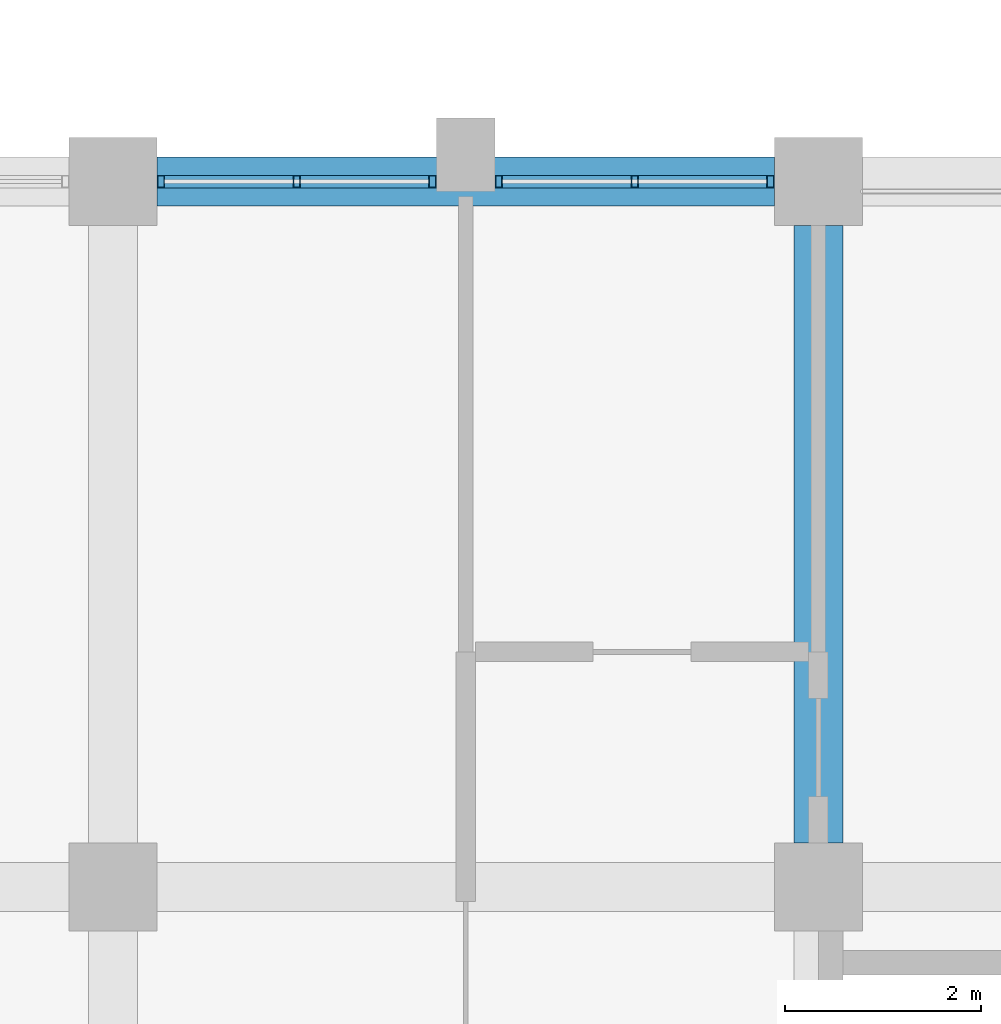
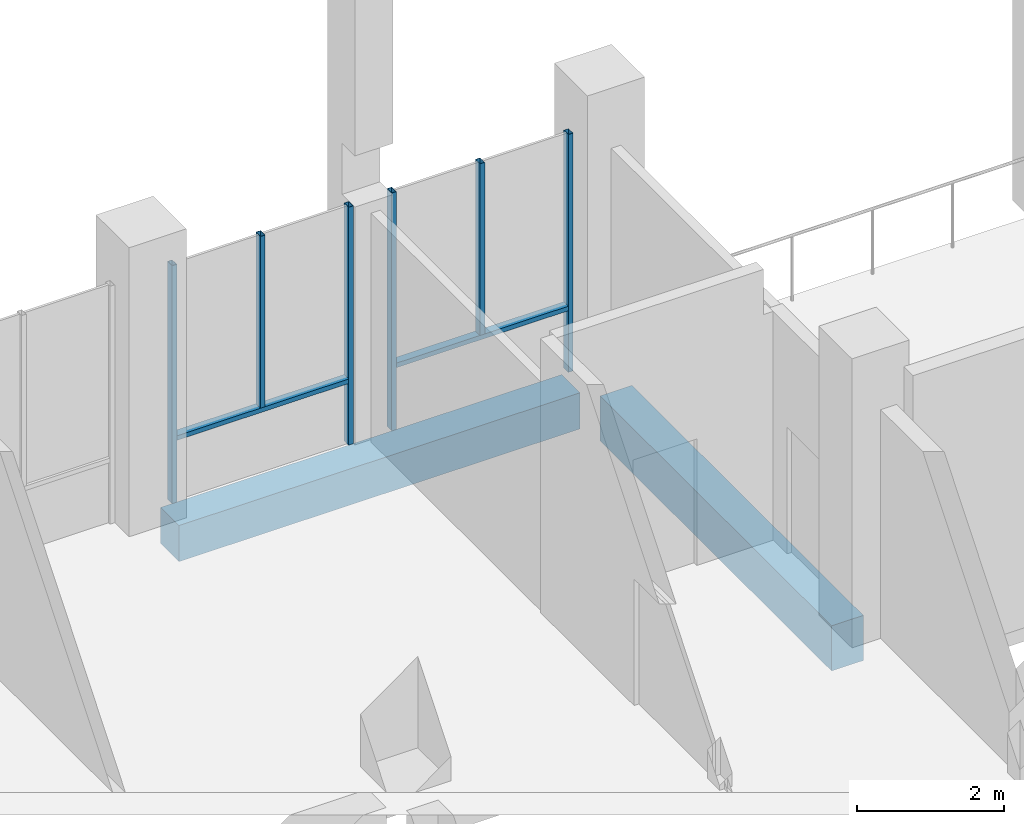
# One storey, part 5 of 40: 8 members, 2 beams, 2 elements without a shape of their own.
"""IFC4 building model written with IfcOpenShell, lengths in metres."""

from ifc_helpers import new_model, si_unit, direction, frame, origin, origin_2d, place, context, subcontext, project, spatial, rectangle, hollow_rectangle, extrude, material, material_profile, profile_set, type_object, element, aggregate, save


model = new_model("IFC4")

# Units and contexts
model_context = context("Model", 3, precision=1e-05, world=origin(), true_north=direction((0.0, 1.0)))
body_context = subcontext(model_context, "Body", "Model", "MODEL_VIEW")
ifc_project = project(units=[si_unit("LENGTHUNIT", "METRE"), si_unit("AREAUNIT", "SQUARE_METRE"), si_unit("VOLUMEUNIT", "CUBIC_METRE"), si_unit("PLANEANGLEUNIT", "RADIAN"), si_unit("MASSUNIT", "GRAM", prefix="KILO")], contexts=[model_context])

# Site, building, storey
site_placement = place(None, origin())
site = spatial("IfcSite", under=ifc_project, at=site_placement, CompositionType="ELEMENT")
building_placement = place(site_placement, origin())
building = spatial("IfcBuilding", under=site, at=building_placement, Name="Silangan Lancet Faculty of Sciences", CompositionType="ELEMENT")
storey_placement = place(building_placement, frame((0.0, 0.0, 21.60009765625)))
storey = spatial("IfcBuildingStorey", under=building, at=storey_placement, Name="L04", CompositionType="ELEMENT", Elevation=21.60009765625)

# Beams
ifc_material_1 = material(Name="Concrete C40/50", Category="concrete")
ifc_material_profile_1 = material_profile(ifc_material_1, rectangle(XDim=0.5, YDim=0.60009765625, at=origin_2d()), Name="RC 500x600")
ifc_profile_set_1 = profile_set([ifc_material_profile_1], Name="Concrete C40/50")
beam_type_1 = type_object("IfcBeamType", Name="BEAM RC 500x600", PredefinedType="BEAM", material=ifc_profile_set_1)
beam_1_placement = place(storey_placement, frame((14.85009765625, 21.60009765625, -0.550048828125), z_axis=(1.0, 0.0, 0.0), x_axis=(0.0, 1.0, 0.0)))
element("IfcBeam", 1, at=beam_1_placement, inside=storey, type_object=beam_type_1, Name="BM-L04-3D-4D", PredefinedType="BEAM", context=body_context, shape_type="SweptSolid", body=[
    extrude(rectangle(XDim=0.5, YDim=0.60009765625, at=origin_2d()), origin(), (0.0, 0.0, 1.0), 6.2998046875),
])
ifc_material_2 = material(Name="Concrete C40/50", Category="concrete")
ifc_material_profile_2 = material_profile(ifc_material_2, rectangle(XDim=0.5, YDim=0.75, at=origin_2d()), Name="RC 500x750")
ifc_profile_set_2 = profile_set([ifc_material_profile_2], Name="Concrete C40/50")
beam_type_2 = type_object("IfcBeamType", Name="BEAM RC 500x750", PredefinedType="BEAM", material=ifc_profile_set_2)
beam_2_placement = place(storey_placement, frame((21.60009765625, 14.85009765625, -0.625), z_axis=(0.0, 1.0, 0.0), x_axis=(-1.0, 0.0, 0.0)))
element("IfcBeam", 2, at=beam_2_placement, inside=storey, type_object=beam_type_2, Name="BM-L04-4C-4D", PredefinedType="BEAM", context=body_context, shape_type="SweptSolid", body=[
    extrude(rectangle(XDim=0.5, YDim=0.75, at=origin_2d()), origin(), (0.0, 0.0, 1.0), 6.2998046875),
])

# Curtain wall, members
ifc_material_3 = material(Name="Aluminium framed curtain wall with insulated glass", Category="aluminium")
curtain_wall_type = type_object("IfcCurtainWallType", Name="CW2 Atrium fire-resisting screen", PredefinedType="NOTDEFINED", material=ifc_material_3)
curtain_wall_1_placement = place(storey_placement, origin())
curtain_wall_1 = element("IfcCurtainWall", 3, at=curtain_wall_1_placement, inside=storey, type_object=curtain_wall_type, Name="CW2 Atrium south L04 bay 1", PredefinedType="NOTDEFINED")
ifc_material_4 = material(Name="Steel S355J2H", Category="steel")
ifc_material_profile_3 = material_profile(ifc_material_4, hollow_rectangle(XDim=0.074951171875, YDim=0.125, WallThickness=0.0048828125, at=origin_2d()), Name="ST BOX 75x125x5")
ifc_profile_set_3 = profile_set([ifc_material_profile_3], Name="Steel S355J2H")
member_type_1 = type_object("IfcMemberType", Name="CM2 Mullion 75x125", PredefinedType="MULLION", material=ifc_profile_set_3)
member_1_placement = place(storey_placement, frame((21.112548828125, 21.60009765625, 0.0), z_axis=(0.0, 0.0, 1.0), x_axis=(-1.0, 0.0, 0.0)))
member_1 = element("IfcMember", 4, at=member_1_placement, type_object=member_type_1, Name="CW2 Atrium south L04 bay 1 mullion 1", PredefinedType="MULLION", context=body_context, shape_type="SweptSolid", body=[
    extrude(hollow_rectangle(XDim=0.074951171875, YDim=0.125, WallThickness=0.0048828125, at=origin_2d()), origin(), (0.0, 0.0, 1.0), 3.949951171875),
])
member_2_placement = place(storey_placement, frame((18.33740234375, 21.60009765625, 0.0), z_axis=(0.0, 0.0, 1.0), x_axis=(-1.0, 0.0, 0.0)))
member_2 = element("IfcMember", 5, at=member_2_placement, type_object=member_type_1, Name="CW2 Atrium south L04 bay 1 mullion 2", PredefinedType="MULLION", context=body_context, shape_type="SweptSolid", body=[
    extrude(hollow_rectangle(XDim=0.074951171875, YDim=0.125, WallThickness=0.0048828125, at=origin_2d()), origin(), (0.0, 0.0, 1.0), 3.949951171875),
])
member_3_placement = place(storey_placement, frame((19.72509765625, 21.60009765625, 1.099853515625), z_axis=(0.0, 0.0, 1.0), x_axis=(-1.0, 0.0, 0.0)))
member_3 = element("IfcMember", 6, at=member_3_placement, type_object=member_type_1, Name="CW2 Atrium south L04 bay 1 mullion 3", PredefinedType="MULLION", context=body_context, shape_type="SweptSolid", body=[
    extrude(hollow_rectangle(XDim=0.074951171875, YDim=0.125, WallThickness=0.0048828125, at=origin_2d()), origin(), (0.0, 0.0, 1.0), 2.85009765625),
])

curtain_wall_2_placement = place(storey_placement, origin())
curtain_wall_2 = element("IfcCurtainWall", 7, at=curtain_wall_2_placement, inside=storey, type_object=curtain_wall_type, Name="CW2 Atrium south L04 bay 2", PredefinedType="NOTDEFINED")
member_4_placement = place(storey_placement, frame((17.66259765625, 21.60009765625, 0.0), z_axis=(0.0, 0.0, 1.0), x_axis=(-1.0, 0.0, 0.0)))
member_4 = element("IfcMember", 8, at=member_4_placement, type_object=member_type_1, Name="CW2 Atrium south L04 bay 2 mullion 1", PredefinedType="MULLION", context=body_context, shape_type="SweptSolid", body=[
    extrude(hollow_rectangle(XDim=0.074951171875, YDim=0.125, WallThickness=0.0048828125, at=origin_2d()), origin(), (0.0, 0.0, 1.0), 3.949951171875),
])
member_5_placement = place(storey_placement, frame((14.887451171875, 21.60009765625, 0.0), z_axis=(0.0, 0.0, 1.0), x_axis=(-1.0, 0.0, 0.0)))
member_5 = element("IfcMember", 9, at=member_5_placement, type_object=member_type_1, Name="CW2 Atrium south L04 bay 2 mullion 2", PredefinedType="MULLION", context=body_context, shape_type="SweptSolid", body=[
    extrude(hollow_rectangle(XDim=0.074951171875, YDim=0.125, WallThickness=0.0048828125, at=origin_2d()), origin(), (0.0, 0.0, 1.0), 3.949951171875),
])
member_6_placement = place(storey_placement, frame((16.27490234375, 21.60009765625, 1.099853515625), z_axis=(0.0, 0.0, 1.0), x_axis=(-1.0, 0.0, 0.0)))
member_6 = element("IfcMember", 10, at=member_6_placement, type_object=member_type_1, Name="CW2 Atrium south L04 bay 2 mullion 3", PredefinedType="MULLION", context=body_context, shape_type="SweptSolid", body=[
    extrude(hollow_rectangle(XDim=0.074951171875, YDim=0.125, WallThickness=0.0048828125, at=origin_2d()), origin(), (0.0, 0.0, 1.0), 2.85009765625),
])

# Member
ifc_material_5 = material(Name="Steel S355J2H", Category="steel")
ifc_material_profile_4 = material_profile(ifc_material_5, hollow_rectangle(XDim=0.125, YDim=0.074951171875, WallThickness=0.0048828125, at=origin_2d()), Name="ST BOX 125x75x5")
ifc_profile_set_4 = profile_set([ifc_material_profile_4], Name="Steel S355J2H")
member_type_2 = type_object("IfcMemberType", Name="CT2 Transom 125x75", PredefinedType="USERDEFINED", material=ifc_profile_set_4)
member_7_placement = place(storey_placement, frame((21.074951171875, 21.60009765625, 1.0625), z_axis=(-1.0, 0.0, 0.0), x_axis=(0.0, -1.0, 0.0)))
member_7 = element("IfcMember", 11, at=member_7_placement, type_object=member_type_2, Name="CW2 Atrium south L04 bay 1 transom 1", ObjectType="TRANSOM", PredefinedType="USERDEFINED", context=body_context, shape_type="SweptSolid", body=[
    extrude(hollow_rectangle(XDim=0.125, YDim=0.074951171875, WallThickness=0.0048828125, at=origin_2d()), origin(), (0.0, 0.0, 1.0), 2.699951171875),
])

aggregate(curtain_wall_1, [member_1, member_2, member_3, member_7])

member_8_placement = place(storey_placement, frame((17.625, 21.60009765625, 1.0625), z_axis=(-1.0, 0.0, 0.0), x_axis=(0.0, -1.0, 0.0)))
member_8 = element("IfcMember", 12, at=member_8_placement, type_object=member_type_2, Name="CW2 Atrium south L04 bay 2 transom 1", ObjectType="TRANSOM", PredefinedType="USERDEFINED", context=body_context, shape_type="SweptSolid", body=[
    extrude(hollow_rectangle(XDim=0.125, YDim=0.074951171875, WallThickness=0.0048828125, at=origin_2d()), origin(), (0.0, 0.0, 1.0), 2.699951171875),
])

aggregate(curtain_wall_2, [member_4, member_5, member_6, member_8])

save(model, "model.ifc")
